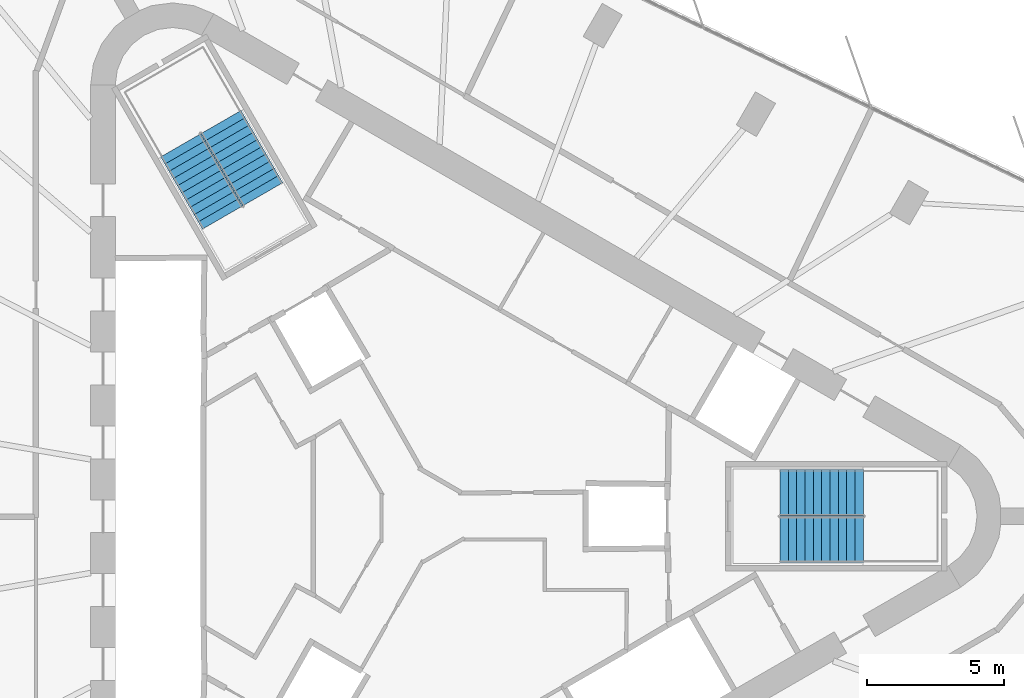
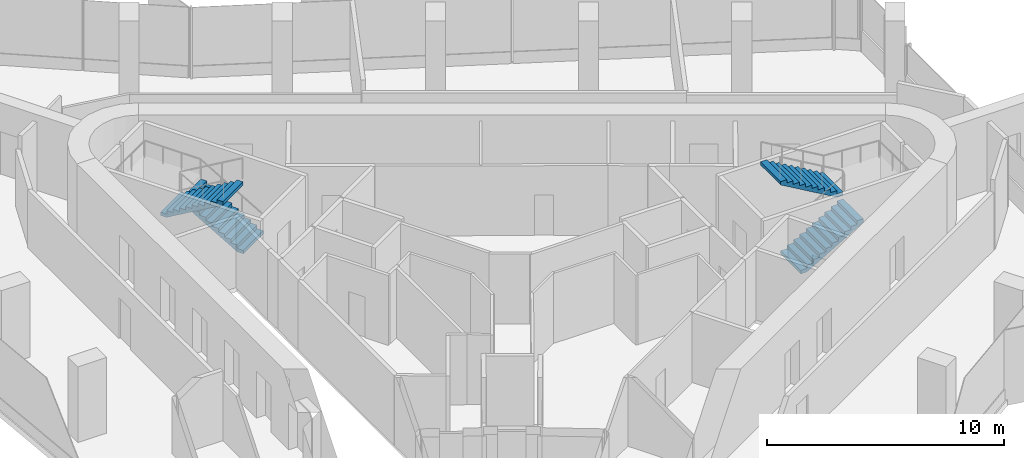
# One storey, part 11 of 12: 4 stair flights, 2 elements without a shape of their own.
"""IFC4 building model written with IfcOpenShell, lengths in metres."""

from ifc_helpers import new_model, si_unit, direction, frame, origin, place, context, subcontext, project, spatial, polyline, outline, extrude, material, type_object, element, aggregate, save


model = new_model("IFC4")

# Units and contexts
model_context = context("Model", 3, precision=1e-05, world=origin(), true_north=direction((0.0, 1.0)))
body_context = subcontext(model_context, "Body", "Model", "MODEL_VIEW")
ifc_project = project(units=[si_unit("LENGTHUNIT", "METRE"), si_unit("AREAUNIT", "SQUARE_METRE"), si_unit("VOLUMEUNIT", "CUBIC_METRE"), si_unit("PLANEANGLEUNIT", "RADIAN"), si_unit("MASSUNIT", "GRAM", prefix="KILO")], contexts=[model_context])

# Site, building, storey
site_placement = place(None, origin())
site = spatial("IfcSite", under=ifc_project, at=site_placement, CompositionType="ELEMENT")
building_placement = place(site_placement, origin())
building = spatial("IfcBuilding", under=site, at=building_placement, Name="Tanit Gate Tower", CompositionType="ELEMENT")
storey_placement = place(building_placement, frame((0.0, 0.0, 384.5)))
storey = spatial("IfcBuildingStorey", under=building, at=storey_placement, Name="L88", CompositionType="ELEMENT", Elevation=384.5)

# Stair, stair flights
ifc_material_1 = material(Name="Concrete C40/50", Category="concrete")
stair_type = type_object("IfcStairType", Name="INT-STAIR-EXIT", PredefinedType="HALF_TURN_STAIR", material=ifc_material_1)
stair_1_placement = place(storey_placement, origin())
stair_1 = element("IfcStair", 1, at=stair_1_placement, inside=storey, type_object=stair_type, Name="L88 STAIR S1", PredefinedType="HALF_TURN_STAIR")
ifc_material_2 = material(Name="Concrete C40/50", Category="concrete")
stair_flight_type = type_object("IfcStairFlightType", Name="INT-STAIR-FLIGHT", PredefinedType="STRAIGHT", material=ifc_material_2)
stair_flight_1_placement = place(storey_placement, frame((13.094970703125, -0.8525390625, 0.0), z_axis=(0.0, 0.0, 1.0), x_axis=(1.0, 0.0, 0.0)))
stair_flight_1 = element("IfcStairFlight", 2, at=stair_flight_1_placement, type_object=stair_flight_type, Name="S1 flight 1", NumberOfRisers=11, NumberOfTreads=10, PredefinedType="STRAIGHT", RiserHeight=0.177272727, TreadLength=0.3051, context=body_context, shape_type="SweptSolid", body=[
    extrude(outline(polyline([(0.0, 0.0), (0.0, 0.17724609375), (0.30517578125, 0.17724609375), (0.30517578125, 0.3544921875), (0.610107421875, 0.3544921875), (0.610107421875, 0.53173828125), (0.915283203125, 0.53173828125), (0.915283203125, 0.708984375), (1.220458984375, 0.708984375), (1.220458984375, 0.886474609375), (1.525390625, 0.886474609375), (1.525390625, 1.063720703125), (1.83056640625, 1.063720703125), (1.83056640625, 1.240966796875), (2.1357421875, 1.240966796875), (2.1357421875, 1.418212890625), (2.44091796875, 1.418212890625), (2.44091796875, 1.595458984375), (2.745849609375, 1.595458984375), (2.745849609375, 1.772705078125), (3.051025390625, 1.772705078125), (3.051025390625, 1.949951171875), (3.051025390625, 1.599365234375), (0.29833984375, 0.0), (0.0, 0.0)])), frame((0.0, 0.84765625, 0.0), z_axis=(0.0, -1.0, 0.0), x_axis=(1.0, 0.0, 0.0)), (0.0, 0.0, 1.0), 1.695068359375),
])
stair_flight_2_placement = place(storey_placement, frame((16.14599609375, 0.8525390625, 1.949951171875), z_axis=(0.0, 0.0, 1.0), x_axis=(-1.0, 0.0, 0.0)))
stair_flight_2 = element("IfcStairFlight", 3, at=stair_flight_2_placement, type_object=stair_flight_type, Name="S1 flight 2", NumberOfRisers=11, NumberOfTreads=10, PredefinedType="STRAIGHT", RiserHeight=0.177272727, TreadLength=0.3051, context=body_context, shape_type="SweptSolid", body=[
    extrude(outline(polyline([(0.0, 0.0), (0.0, 0.17724609375), (0.30517578125, 0.17724609375), (0.30517578125, 0.3544921875), (0.610107421875, 0.3544921875), (0.610107421875, 0.53173828125), (0.915283203125, 0.53173828125), (0.915283203125, 0.708984375), (1.220458984375, 0.708984375), (1.220458984375, 0.886474609375), (1.525390625, 0.886474609375), (1.525390625, 1.063720703125), (1.83056640625, 1.063720703125), (1.83056640625, 1.240966796875), (2.1357421875, 1.240966796875), (2.1357421875, 1.418212890625), (2.44091796875, 1.418212890625), (2.44091796875, 1.595458984375), (2.745849609375, 1.595458984375), (2.745849609375, 1.772705078125), (3.051025390625, 1.772705078125), (3.051025390625, 1.949951171875), (3.051025390625, 1.599365234375), (0.29833984375, 0.0), (0.0, 0.0)])), frame((0.0, 0.84765625, 0.0), z_axis=(0.0, -1.0, 0.0), x_axis=(1.0, 0.0, 0.0)), (0.0, 0.0, 1.0), 1.695068359375),
])
aggregate(stair_1, [stair_flight_1, stair_flight_2])

stair_2_placement = place(storey_placement, origin())
stair_2 = element("IfcStair", 4, at=stair_2_placement, inside=storey, type_object=stair_type, Name="L88 STAIR S2", PredefinedType="HALF_TURN_STAIR")
stair_flight_3_placement = place(storey_placement, frame((-5.808349609375, 11.766357421875, 0.0), z_axis=(0.0, 0.0, 1.0), x_axis=(-0.5, 0.866025403784, 0.0)))
stair_flight_3 = element("IfcStairFlight", 5, at=stair_flight_3_placement, type_object=stair_flight_type, Name="S2 flight 1", NumberOfRisers=11, NumberOfTreads=10, PredefinedType="STRAIGHT", RiserHeight=0.177272727, TreadLength=0.30492, context=body_context, shape_type="SweptSolid", body=[
    extrude(outline(polyline([(0.0, 0.0), (0.0, 0.17724609375), (0.304931640625, 0.17724609375), (0.304931640625, 0.3544921875), (0.60986328125, 0.3544921875), (0.60986328125, 0.53173828125), (0.914794921875, 0.53173828125), (0.914794921875, 0.708984375), (1.2197265625, 0.708984375), (1.2197265625, 0.886474609375), (1.524658203125, 0.886474609375), (1.524658203125, 1.063720703125), (1.82958984375, 1.063720703125), (1.82958984375, 1.240966796875), (2.134521484375, 1.240966796875), (2.134521484375, 1.418212890625), (2.439453125, 1.418212890625), (2.439453125, 1.595458984375), (2.744384765625, 1.595458984375), (2.744384765625, 1.772705078125), (3.04931640625, 1.772705078125), (3.04931640625, 1.949951171875), (3.04931640625, 1.599365234375), (0.29833984375, 0.0), (0.0, 0.0)])), frame((0.0, 0.84716796875, 0.0), z_axis=(0.0, -1.0, 0.0), x_axis=(1.0, 0.0, 0.0)), (0.0, 0.0, 1.0), 1.694091796875),
])
stair_flight_4_placement = place(storey_placement, frame((-8.810302734375, 13.553955078125, 1.949951171875), z_axis=(0.0, 0.0, 1.0), x_axis=(0.5, -0.866025403784, 0.0)))
stair_flight_4 = element("IfcStairFlight", 6, at=stair_flight_4_placement, type_object=stair_flight_type, Name="S2 flight 2", NumberOfRisers=11, NumberOfTreads=10, PredefinedType="STRAIGHT", RiserHeight=0.177272727, TreadLength=0.30492, context=body_context, shape_type="SweptSolid", body=[
    extrude(outline(polyline([(0.0, 0.0), (0.0, 0.17724609375), (0.304931640625, 0.17724609375), (0.304931640625, 0.3544921875), (0.60986328125, 0.3544921875), (0.60986328125, 0.53173828125), (0.914794921875, 0.53173828125), (0.914794921875, 0.708984375), (1.2197265625, 0.708984375), (1.2197265625, 0.886474609375), (1.524658203125, 0.886474609375), (1.524658203125, 1.063720703125), (1.82958984375, 1.063720703125), (1.82958984375, 1.240966796875), (2.134521484375, 1.240966796875), (2.134521484375, 1.418212890625), (2.439453125, 1.418212890625), (2.439453125, 1.595458984375), (2.744384765625, 1.595458984375), (2.744384765625, 1.772705078125), (3.04931640625, 1.772705078125), (3.04931640625, 1.949951171875), (3.04931640625, 1.599365234375), (0.29833984375, 0.0), (0.0, 0.0)])), frame((0.0, 0.84716796875, 0.0), z_axis=(0.0, -1.0, 0.0), x_axis=(1.0, 0.0, 0.0)), (0.0, 0.0, 1.0), 1.694091796875),
])
aggregate(stair_2, [stair_flight_3, stair_flight_4])

save(model, "model.ifc")
